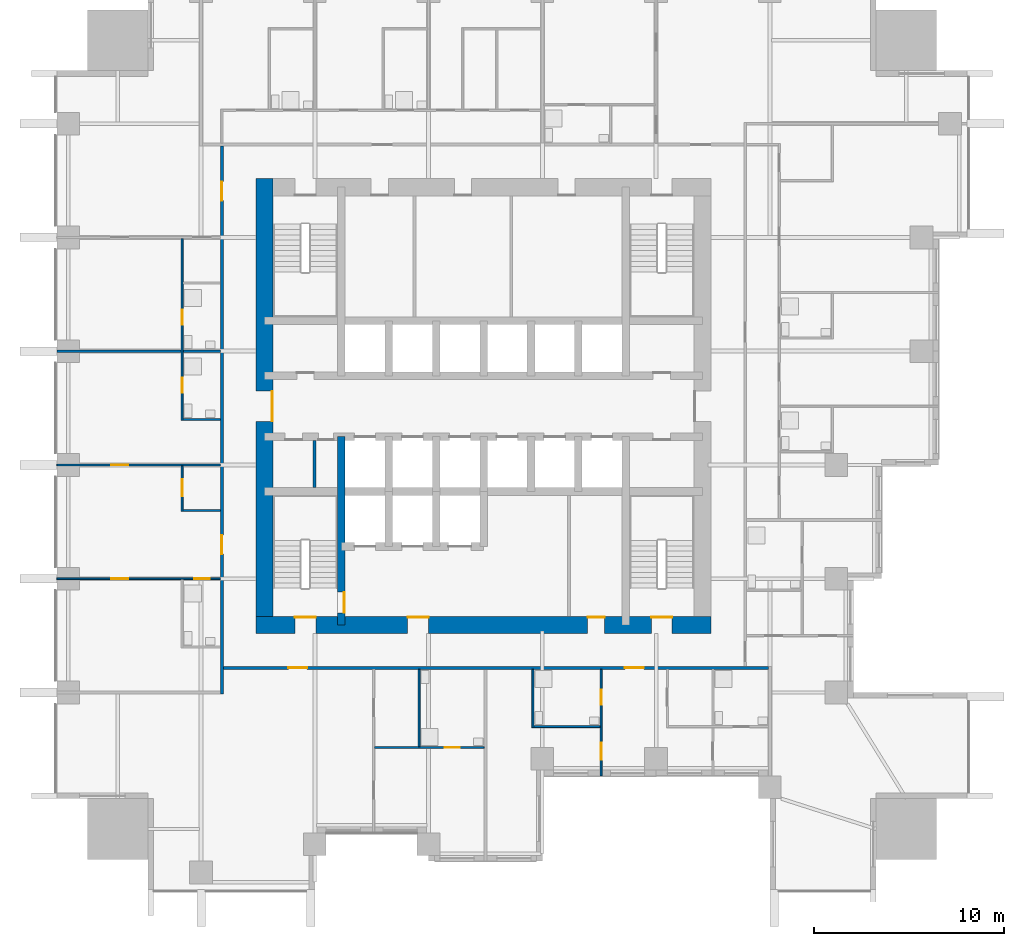
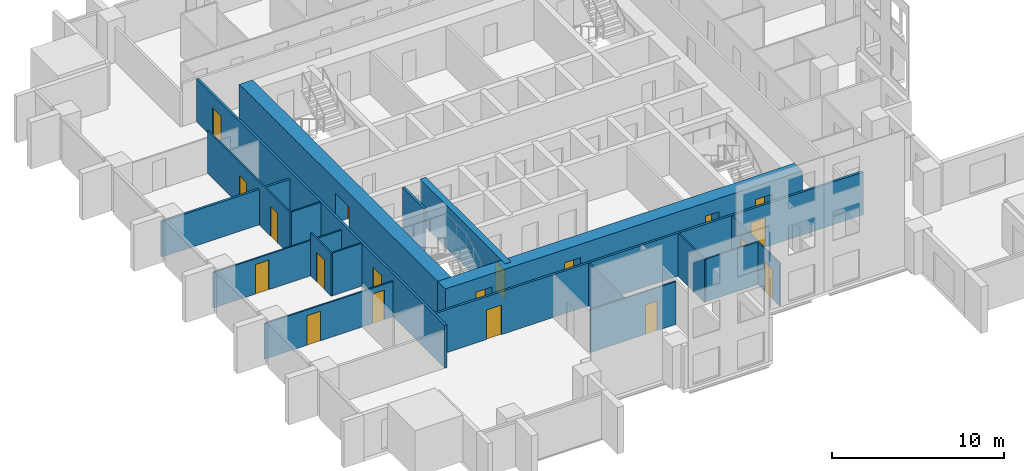
# One storey, part 4 of 11: 19 doors, 18 walls, 19 openings.
"""IFC4 building model written with IfcOpenShell, lengths in metres."""

from ifc_helpers import new_model, si_unit, direction, frame, frame_2d, origin, place, context, subcontext, project, spatial, rectangle, extrude, material, layer, layer_set, type_object, element, fill, save


model = new_model("IFC4")

# Units and contexts
model_context = context("Model", 3, precision=1e-05, world=origin(), true_north=direction((0.0, 1.0)))
body_context = subcontext(model_context, "Body", "Model", "MODEL_VIEW")
ifc_project = project(units=[si_unit("LENGTHUNIT", "METRE"), si_unit("AREAUNIT", "SQUARE_METRE"), si_unit("VOLUMEUNIT", "CUBIC_METRE"), si_unit("PLANEANGLEUNIT", "RADIAN"), si_unit("MASSUNIT", "GRAM", prefix="KILO")], contexts=[model_context])

# Site, building, storey
site_placement = place(None, origin())
site = spatial("IfcSite", under=ifc_project, at=site_placement, CompositionType="ELEMENT")
building_placement = place(site_placement, origin())
building = spatial("IfcBuilding", under=site, at=building_placement, Name="Amberfall Residences", CompositionType="ELEMENT")
storey_placement = place(building_placement, frame((0.0, 0.0, 43.300048828125)))
storey = spatial("IfcBuildingStorey", under=building, at=storey_placement, Name="L11", CompositionType="ELEMENT", Elevation=43.300048828125)

# Wall, opening, door
ifc_material_1 = material(Name="Concrete C80", Category="concrete")
ifc_layer_1 = layer(ifc_material_1, 0.39990234375)
ifc_layer_set_1 = layer_set([ifc_layer_1], Name="Core wall 400 C80")
wall_type_1 = type_object("IfcWallType", Name="Core wall 400 C80", PredefinedType="SHEAR", material=ifc_layer_set_1)
wall_1_placement = place(storey_placement, frame((67.0, 33.949951171875, 0.0), z_axis=(0.0, 0.0, 1.0), x_axis=(0.0, 1.0, 0.0)))
wall_1 = element("IfcWall", 1, at=wall_1_placement, inside=storey, type_object=wall_type_1, Name="Core wall RW2 L11 V45S", PredefinedType="SHEAR", context=body_context, shape_type="SweptSolid", body=[
    extrude(rectangle(XDim=9.949951171875, YDim=0.39990234375, at=frame_2d((4.97509765625, 0.0))), origin(), (0.0, 0.0, 1.0), 3.050048828125),
])
opening_1_placement = place(wall_1_placement, frame((0.64990234375, 0.0, 0.0)))
opening_1 = element("IfcOpeningElement", 2, at=opening_1_placement, cuts=wall_1, Name="Opening FL1", PredefinedType="OPENING", context=body_context, shape_type="SweptSolid", body=[
    extrude(rectangle(XDim=1.10009765625, YDim=2.10009765625, at=frame_2d((0.550048828125, 1.050048828125))), frame((0.0, 0.2099609375, 0.0), z_axis=(0.0, -1.0, 0.0), x_axis=(1.0, 0.0, 0.0)), (0.0, 0.0, 1.0), 0.419921875),
])
ifc_material_2 = material(Name="Steel fire door set", Category="steel")
door_type_1 = type_object("IfcDoorType", Name="Firefighting lobby door 1100 x 2100", OperationType="SINGLE_SWING_LEFT", PredefinedType="DOOR", material=ifc_material_2)
door_1_placement = place(opening_1_placement, origin())
door_1 = element("IfcDoor", 3, at=door_1_placement, inside=storey, type_object=door_type_1, Name="FL1 L11", OperationType="SINGLE_SWING_RIGHT", OverallHeight=2.10009765625, OverallWidth=1.10009765625, PredefinedType="DOOR", context=body_context, shape_type="SweptSolid", body=[
    extrude(rectangle(XDim=1.10009765625, YDim=2.10009765625, at=frame_2d((0.550048828125, 1.050048828125))), frame((0.0, -0.1376953125, 0.0), z_axis=(0.0, -1.0, 0.0), x_axis=(1.0, 0.0, 0.0)), (0.0, 0.0, 1.0), 0.050048828125),
])
fill(opening_1, door_1)

# Wall, openings, doors
ifc_layer_2 = layer(ifc_material_1, 0.89990234375)
ifc_layer_set_2 = layer_set([ifc_layer_2], Name="Core wall 900 C80")
wall_type_2 = type_object("IfcWallType", Name="Core wall 900 C80", PredefinedType="SHEAR", material=ifc_layer_set_2)
wall_2_placement = place(storey_placement, frame((62.5, 33.949951171875, 0.0), z_axis=(0.0, 0.0, 1.0), x_axis=(1.0, 0.0, 0.0)))
wall_2 = element("IfcWall", 4, at=wall_2_placement, inside=storey, type_object=wall_type_2, Name="Core wall RW1 L11 OS", PredefinedType="SHEAR", context=body_context, shape_type="SweptSolid", body=[
    extrude(rectangle(XDim=24.0, YDim=0.89990234375, at=frame_2d((12.0, 0.0))), origin(), (0.0, 0.0, 1.0), 3.050048828125),
])
opening_2_placement = place(wall_2_placement, frame((2.050048828125, 0.0, 0.0)))
opening_2 = element("IfcOpeningElement", 5, at=opening_2_placement, cuts=wall_2, Name="Opening SD1", PredefinedType="OPENING", context=body_context, shape_type="SweptSolid", body=[
    extrude(rectangle(XDim=1.10009765625, YDim=2.10009765625, at=frame_2d((0.550048828125, 1.050048828125))), frame((0.0, 0.4599609375, 0.0), z_axis=(0.0, -1.0, 0.0), x_axis=(1.0, 0.0, 0.0)), (0.0, 0.0, 1.0), 0.919921875),
])
opening_3_placement = place(wall_2_placement, frame((20.85009765625, 0.0, 0.0)))
opening_3 = element("IfcOpeningElement", 6, at=opening_3_placement, cuts=wall_2, Name="Opening SD1", PredefinedType="OPENING", context=body_context, shape_type="SweptSolid", body=[
    extrude(rectangle(XDim=1.10009765625, YDim=2.10009765625, at=frame_2d((0.550048828125, 1.050048828125))), frame((0.0, 0.4599609375, 0.0), z_axis=(0.0, -1.0, 0.0), x_axis=(1.0, 0.0, 0.0)), (0.0, 0.0, 1.0), 0.919921875),
])
opening_4_placement = place(wall_2_placement, frame((8.0, 0.0, 0.0)))
opening_4 = element("IfcOpeningElement", 7, at=opening_4_placement, cuts=wall_2, Name="Opening FL1", PredefinedType="OPENING", context=body_context, shape_type="SweptSolid", body=[
    extrude(rectangle(XDim=1.10009765625, YDim=2.10009765625, at=frame_2d((0.550048828125, 1.050048828125))), frame((0.0, 0.4599609375, 0.0), z_axis=(0.0, -1.0, 0.0), x_axis=(1.0, 0.0, 0.0)), (0.0, 0.0, 1.0), 0.919921875),
])
opening_5_placement = place(wall_2_placement, frame((17.487548828125, 0.0, 0.0)))
opening_5 = element("IfcOpeningElement", 8, at=opening_5_placement, cuts=wall_2, Name="Opening RD1", PredefinedType="OPENING", context=body_context, shape_type="SweptSolid", body=[
    extrude(rectangle(XDim=0.89990234375, YDim=2.10009765625, at=frame_2d((0.449951171875, 1.050048828125))), frame((0.0, 0.4599609375, 0.0), z_axis=(0.0, -1.0, 0.0), x_axis=(1.0, 0.0, 0.0)), (0.0, 0.0, 1.0), 0.919921875),
])
door_2_placement = place(opening_4_placement, origin())
door_2 = element("IfcDoor", 9, at=door_2_placement, inside=storey, type_object=door_type_1, Name="FL1 L11", OperationType="SINGLE_SWING_LEFT", OverallHeight=2.10009765625, OverallWidth=1.10009765625, PredefinedType="DOOR", context=body_context, shape_type="SweptSolid", body=[
    extrude(rectangle(XDim=1.10009765625, YDim=2.10009765625, at=frame_2d((0.550048828125, 1.050048828125))), frame((0.0, 0.4375, 0.0), z_axis=(0.0, -1.0, 0.0), x_axis=(1.0, 0.0, 0.0)), (0.0, 0.0, 1.0), 0.050048828125),
])
fill(opening_4, door_2)
door_type_2 = type_object("IfcDoorType", Name="Service room door 900 x 2100", OperationType="SINGLE_SWING_LEFT", PredefinedType="DOOR", material=ifc_material_2)
door_3_placement = place(opening_5_placement, origin())
door_3 = element("IfcDoor", 10, at=door_3_placement, inside=storey, type_object=door_type_2, Name="RD1 L11", OperationType="SINGLE_SWING_LEFT", OverallHeight=2.10009765625, OverallWidth=0.89990234375, PredefinedType="DOOR", context=body_context, shape_type="SweptSolid", body=[
    extrude(rectangle(XDim=0.89990234375, YDim=2.10009765625, at=frame_2d((0.449951171875, 1.050048828125))), frame((0.0, 0.4375, 0.0), z_axis=(0.0, -1.0, 0.0), x_axis=(1.0, 0.0, 0.0)), (0.0, 0.0, 1.0), 0.050048828125),
])
fill(opening_5, door_3)
door_type_3 = type_object("IfcDoorType", Name="Stair door 1100 x 2100", OperationType="SINGLE_SWING_LEFT", PredefinedType="DOOR", material=ifc_material_2)
door_4_placement = place(opening_2_placement, origin())
door_4 = element("IfcDoor", 11, at=door_4_placement, inside=storey, type_object=door_type_3, Name="SD1 L11", OperationType="SINGLE_SWING_LEFT", OverallHeight=2.10009765625, OverallWidth=1.10009765625, PredefinedType="DOOR", context=body_context, shape_type="SweptSolid", body=[
    extrude(rectangle(XDim=1.10009765625, YDim=2.10009765625, at=frame_2d((0.550048828125, 1.050048828125))), frame((0.0, 0.4375, 0.0), z_axis=(0.0, -1.0, 0.0), x_axis=(1.0, 0.0, 0.0)), (0.0, 0.0, 1.0), 0.050048828125),
])
fill(opening_2, door_4)
door_5_placement = place(opening_3_placement, origin())
door_5 = element("IfcDoor", 12, at=door_5_placement, inside=storey, type_object=door_type_3, Name="SD1 L11", OperationType="SINGLE_SWING_RIGHT", OverallHeight=2.10009765625, OverallWidth=1.10009765625, PredefinedType="DOOR", context=body_context, shape_type="SweptSolid", body=[
    extrude(rectangle(XDim=1.10009765625, YDim=2.10009765625, at=frame_2d((0.550048828125, 1.050048828125))), frame((0.0, 0.4375, 0.0), z_axis=(0.0, -1.0, 0.0), x_axis=(1.0, 0.0, 0.0)), (0.0, 0.0, 1.0), 0.050048828125),
])
fill(opening_3, door_5)

# Wall, opening, door
wall_3_placement = place(storey_placement, frame((62.949951171875, 33.5, 0.0), z_axis=(0.0, 0.0, 1.0), x_axis=(0.0, 1.0, 0.0)))
wall_3 = element("IfcWall", 13, at=wall_3_placement, inside=storey, type_object=wall_type_2, Name="Core wall RW1 L11 OW", PredefinedType="SHEAR", context=body_context, shape_type="SweptSolid", body=[
    extrude(rectangle(XDim=24.0, YDim=0.89990234375, at=frame_2d((12.0, 0.0))), origin(), (0.0, 0.0, 1.0), 3.050048828125),
])
opening_6_placement = place(wall_3_placement, frame((11.199951171875, 0.0, 0.0)))
opening_6 = element("IfcOpeningElement", 14, at=opening_6_placement, cuts=wall_3, Name="Opening LB1", PredefinedType="OPENING", context=body_context, shape_type="SweptSolid", body=[
    extrude(rectangle(XDim=1.60009765625, YDim=2.10009765625, at=frame_2d((0.800048828125, 1.050048828125))), frame((0.0, 0.4599609375, 0.0), z_axis=(0.0, -1.0, 0.0), x_axis=(1.0, 0.0, 0.0)), (0.0, 0.0, 1.0), 0.919921875),
])
door_type_4 = type_object("IfcDoorType", Name="Lift lobby double door 1600 x 2100", OperationType="DOUBLE_DOOR_SINGLE_SWING", PredefinedType="DOOR", material=ifc_material_2)
door_6_placement = place(opening_6_placement, origin())
door_6 = element("IfcDoor", 15, at=door_6_placement, inside=storey, type_object=door_type_4, Name="LB1 L11", OperationType="DOUBLE_DOOR_SINGLE_SWING", OverallHeight=2.10009765625, OverallWidth=1.60009765625, PredefinedType="DOOR", context=body_context, shape_type="SweptSolid", body=[
    extrude(rectangle(XDim=1.60009765625, YDim=2.10009765625, at=frame_2d((0.800048828125, 1.050048828125))), frame((0.0, -0.3876953125, 0.0), z_axis=(0.0, -1.0, 0.0), x_axis=(1.0, 0.0, 0.0)), (0.0, 0.0, 1.0), 0.050048828125),
])
fill(opening_6, door_6)

ifc_material_3 = material(Name="Gypsum board on metal stud")
ifc_layer_3 = layer(ifc_material_3, 0.10009765625)
ifc_layer_set_3 = layer_set([ifc_layer_3], Name="Flat partition 100")
wall_type_3 = type_object("IfcWallType", Name="Flat partition 100", PredefinedType="PARTITIONING", material=ifc_layer_set_3)
wall_4_placement = place(storey_placement, frame((58.60009765625, 42.35009765625, 0.0), z_axis=(0.0, 0.0, 1.0), x_axis=(0.0, -1.0, 0.0)))
wall_4 = element("IfcWall", 16, at=wall_4_placement, inside=storey, type_object=wall_type_3, Name="Partition 002", PredefinedType="PARTITIONING", context=body_context, shape_type="SweptSolid", body=[
    extrude(rectangle(XDim=2.400146484375, YDim=0.10009765625, at=frame_2d((1.2001953125, 0.0))), origin(), (0.0, 0.0, 1.0), 3.050048828125),
])
opening_7_placement = place(wall_4_placement, frame((0.699951171875, 0.0, 0.0)))
opening_7 = element("IfcOpeningElement", 17, at=opening_7_placement, cuts=wall_4, Name="Opening D41", PredefinedType="OPENING", context=body_context, shape_type="SweptSolid", body=[
    extrude(rectangle(XDim=0.89990234375, YDim=2.10009765625, at=frame_2d((0.449951171875, 1.050048828125))), frame((0.0, 0.06005859375, 0.0), z_axis=(0.0, -1.0, 0.0), x_axis=(1.0, 0.0, 0.0)), (0.0, 0.0, 1.0), 0.1201171875),
])
ifc_material_4 = material(Name="Timber", Category="wood")
door_type_5 = type_object("IfcDoorType", Name="Internal door 900 x 2100", OperationType="SINGLE_SWING_LEFT", PredefinedType="DOOR", material=ifc_material_4)
door_7_placement = place(opening_7_placement, origin())
door_7 = element("IfcDoor", 18, at=door_7_placement, inside=storey, type_object=door_type_5, Name="Door 1107 kitchen", OperationType="SINGLE_SWING_LEFT", OverallHeight=2.10009765625, OverallWidth=0.89990234375, PredefinedType="DOOR", context=body_context, shape_type="SweptSolid", body=[
    extrude(rectangle(XDim=0.89990234375, YDim=2.10009765625, at=frame_2d((0.449951171875, 1.050048828125))), frame((0.0, 0.02490234375, 0.0), z_axis=(0.0, -1.0, 0.0), x_axis=(1.0, 0.0, 0.0)), (0.0, 0.0, 1.0), 0.050048828125),
])
fill(opening_7, door_7)

# Wall, openings, doors
wall_5_placement = place(storey_placement, frame((58.60009765625, 54.35009765625, 0.0), z_axis=(0.0, 0.0, 1.0), x_axis=(0.0, -1.0, 0.0)))
wall_5 = element("IfcWall", 19, at=wall_5_placement, inside=storey, type_object=wall_type_3, Name="Partition 003", PredefinedType="PARTITIONING", context=body_context, shape_type="SweptSolid", body=[
    extrude(rectangle(XDim=9.60009765625, YDim=0.10009765625, at=frame_2d((4.800048828125, 0.0))), origin(), (0.0, 0.0, 1.0), 3.050048828125),
])
opening_8_placement = place(wall_5_placement, frame((7.35009765625, 0.0, 0.0)))
opening_8 = element("IfcOpeningElement", 20, at=opening_8_placement, cuts=wall_5, Name="Opening D42", PredefinedType="OPENING", context=body_context, shape_type="SweptSolid", body=[
    extrude(rectangle(XDim=0.800048828125, YDim=2.10009765625, at=frame_2d((0.39990234375, 1.050048828125))), frame((0.0, 0.06005859375, 0.0), z_axis=(0.0, -1.0, 0.0), x_axis=(1.0, 0.0, 0.0)), (0.0, 0.0, 1.0), 0.1201171875),
])
opening_9_placement = place(wall_5_placement, frame((3.75, 0.0, 0.0)))
opening_9 = element("IfcOpeningElement", 21, at=opening_9_placement, cuts=wall_5, Name="Opening D42", PredefinedType="OPENING", context=body_context, shape_type="SweptSolid", body=[
    extrude(rectangle(XDim=0.800048828125, YDim=2.10009765625, at=frame_2d((0.39990234375, 1.050048828125))), frame((0.0, 0.06005859375, 0.0), z_axis=(0.0, -1.0, 0.0), x_axis=(1.0, 0.0, 0.0)), (0.0, 0.0, 1.0), 0.1201171875),
])
door_type_6 = type_object("IfcDoorType", Name="Bathroom door 800 x 2100", OperationType="SINGLE_SWING_LEFT", PredefinedType="DOOR", material=ifc_material_4)
door_8_placement = place(opening_8_placement, origin())
door_8 = element("IfcDoor", 22, at=door_8_placement, inside=storey, type_object=door_type_6, Name="Door 1107 bath2", OperationType="SINGLE_SWING_LEFT", OverallHeight=2.10009765625, OverallWidth=0.800048828125, PredefinedType="DOOR", context=body_context, shape_type="SweptSolid", body=[
    extrude(rectangle(XDim=0.800048828125, YDim=2.10009765625, at=frame_2d((0.39990234375, 1.050048828125))), frame((0.0, 0.02490234375, 0.0), z_axis=(0.0, -1.0, 0.0), x_axis=(1.0, 0.0, 0.0)), (0.0, 0.0, 1.0), 0.050048828125),
])
fill(opening_8, door_8)
door_9_placement = place(opening_9_placement, origin())
door_9 = element("IfcDoor", 23, at=door_9_placement, inside=storey, type_object=door_type_6, Name="Door 1108 bath1", OperationType="SINGLE_SWING_LEFT", OverallHeight=2.10009765625, OverallWidth=0.800048828125, PredefinedType="DOOR", context=body_context, shape_type="SweptSolid", body=[
    extrude(rectangle(XDim=0.800048828125, YDim=2.10009765625, at=frame_2d((0.39990234375, 1.050048828125))), frame((0.0, 0.02490234375, 0.0), z_axis=(0.0, -1.0, 0.0), x_axis=(1.0, 0.0, 0.0)), (0.0, 0.0, 1.0), 0.050048828125),
])
fill(opening_9, door_9)

# Walls
wall_6_placement = place(storey_placement, frame((71.10009765625, 27.550048828125, 0.0), z_axis=(0.0, 0.0, 1.0), x_axis=(0.0, 1.0, 0.0)))
element("IfcWall", 24, at=wall_6_placement, inside=storey, type_object=wall_type_3, Name="Partition 009", PredefinedType="PARTITIONING", context=body_context, shape_type="SweptSolid", body=[
    extrude(rectangle(XDim=4.074951171875, YDim=0.10009765625, at=frame_2d((2.03759765625, 0.0))), origin(), (0.0, 0.0, 1.0), 3.050048828125),
])
wall_7_placement = place(storey_placement, frame((77.10009765625, 28.550048828125, 0.0), z_axis=(0.0, 0.0, 1.0), x_axis=(0.0, 1.0, 0.0)))
element("IfcWall", 25, at=wall_7_placement, inside=storey, type_object=wall_type_3, Name="Partition 013", PredefinedType="PARTITIONING", context=body_context, shape_type="SweptSolid", body=[
    extrude(rectangle(XDim=3.074951171875, YDim=0.10009765625, at=frame_2d((1.53759765625, 0.0))), origin(), (0.0, 0.0, 1.0), 3.050048828125),
])

# Wall, openings, doors
wall_8_placement = place(storey_placement, frame((80.699951171875, 26.0, 0.0), z_axis=(0.0, 0.0, 1.0), x_axis=(0.0, 1.0, 0.0)))
wall_8 = element("IfcWall", 26, at=wall_8_placement, inside=storey, type_object=wall_type_3, Name="Partition 014", PredefinedType="PARTITIONING", context=body_context, shape_type="SweptSolid", body=[
    extrude(rectangle(XDim=5.625, YDim=0.10009765625, at=frame_2d((2.8125, 0.0))), origin(), (0.0, 0.0, 1.0), 3.050048828125),
])
opening_10_placement = place(wall_8_placement, frame((0.85009765625, 0.0, 0.0)))
opening_10 = element("IfcOpeningElement", 27, at=opening_10_placement, cuts=wall_8, Name="Opening D41", PredefinedType="OPENING", context=body_context, shape_type="SweptSolid", body=[
    extrude(rectangle(XDim=0.89990234375, YDim=2.10009765625, at=frame_2d((0.449951171875, 1.050048828125))), frame((0.0, 0.06005859375, 0.0), z_axis=(0.0, -1.0, 0.0), x_axis=(1.0, 0.0, 0.0)), (0.0, 0.0, 1.0), 0.1201171875),
])
opening_11_placement = place(wall_8_placement, frame((3.75, 0.0, 0.0)))
opening_11 = element("IfcOpeningElement", 28, at=opening_11_placement, cuts=wall_8, Name="Opening D42", PredefinedType="OPENING", context=body_context, shape_type="SweptSolid", body=[
    extrude(rectangle(XDim=0.800048828125, YDim=2.10009765625, at=frame_2d((0.39990234375, 1.050048828125))), frame((0.0, 0.06005859375, 0.0), z_axis=(0.0, -1.0, 0.0), x_axis=(1.0, 0.0, 0.0)), (0.0, 0.0, 1.0), 0.1201171875),
])
door_10_placement = place(opening_11_placement, origin())
door_10 = element("IfcDoor", 29, at=door_10_placement, inside=storey, type_object=door_type_6, Name="Door 1102 bath1", OperationType="SINGLE_SWING_LEFT", OverallHeight=2.10009765625, OverallWidth=0.800048828125, PredefinedType="DOOR", context=body_context, shape_type="SweptSolid", body=[
    extrude(rectangle(XDim=0.800048828125, YDim=2.10009765625, at=frame_2d((0.39990234375, 1.050048828125))), frame((0.0, 0.02490234375, 0.0), z_axis=(0.0, -1.0, 0.0), x_axis=(1.0, 0.0, 0.0)), (0.0, 0.0, 1.0), 0.050048828125),
])
fill(opening_11, door_10)
door_11_placement = place(opening_10_placement, origin())
door_11 = element("IfcDoor", 30, at=door_11_placement, inside=storey, type_object=door_type_5, Name="Door 1102 bedroom1", OperationType="SINGLE_SWING_LEFT", OverallHeight=2.10009765625, OverallWidth=0.89990234375, PredefinedType="DOOR", context=body_context, shape_type="SweptSolid", body=[
    extrude(rectangle(XDim=0.89990234375, YDim=2.10009765625, at=frame_2d((0.449951171875, 1.050048828125))), frame((0.0, 0.02490234375, 0.0), z_axis=(0.0, -1.0, 0.0), x_axis=(1.0, 0.0, 0.0)), (0.0, 0.0, 1.0), 0.050048828125),
])
fill(opening_10, door_11)

# Wall
wall_9_placement = place(storey_placement, frame((58.64990234375, 44.800048828125, 0.0), z_axis=(0.0, 0.0, 1.0), x_axis=(1.0, 0.0, 0.0)))
element("IfcWall", 31, at=wall_9_placement, inside=storey, type_object=wall_type_3, Name="Partition 036", PredefinedType="PARTITIONING", context=body_context, shape_type="SweptSolid", body=[
    extrude(rectangle(XDim=1.97509765625, YDim=0.10009765625, at=frame_2d((0.987548828125, 0.0))), origin(), (0.0, 0.0, 1.0), 3.050048828125),
])

# Wall, opening, door
wall_10_placement = place(storey_placement, frame((52.0, 42.39990234375, 0.0), z_axis=(0.0, 0.0, 1.0), x_axis=(1.0, 0.0, 0.0)))
wall_10 = element("IfcWall", 32, at=wall_10_placement, inside=storey, type_object=wall_type_3, Name="Partition 038", PredefinedType="PARTITIONING", context=body_context, shape_type="SweptSolid", body=[
    extrude(rectangle(XDim=8.625, YDim=0.10009765625, at=frame_2d((4.3125, 0.0))), origin(), (0.0, 0.0, 1.0), 2.515869140625),
])
opening_12_placement = place(wall_10_placement, frame((2.85009765625, 0.0, 0.0)))
opening_12 = element("IfcOpeningElement", 33, at=opening_12_placement, cuts=wall_10, Name="Opening D41", PredefinedType="OPENING", context=body_context, shape_type="SweptSolid", body=[
    extrude(rectangle(XDim=0.89990234375, YDim=2.10009765625, at=frame_2d((0.449951171875, 1.050048828125))), frame((0.0, 0.06005859375, 0.0), z_axis=(0.0, -1.0, 0.0), x_axis=(1.0, 0.0, 0.0)), (0.0, 0.0, 1.0), 0.1201171875),
])
door_12_placement = place(opening_12_placement, origin())
door_12 = element("IfcDoor", 34, at=door_12_placement, inside=storey, type_object=door_type_5, Name="Door 1107 bedroom2", OperationType="SINGLE_SWING_LEFT", OverallHeight=2.10009765625, OverallWidth=0.89990234375, PredefinedType="DOOR", context=body_context, shape_type="SweptSolid", body=[
    extrude(rectangle(XDim=0.89990234375, YDim=2.10009765625, at=frame_2d((0.449951171875, 1.050048828125))), frame((0.0, 0.02490234375, 0.0), z_axis=(0.0, -1.0, 0.0), x_axis=(1.0, 0.0, 0.0)), (0.0, 0.0, 1.0), 0.050048828125),
])
fill(opening_12, door_12)

# Wall
wall_11_placement = place(storey_placement, frame((58.64990234375, 40.0, 0.0), z_axis=(0.0, 0.0, 1.0), x_axis=(1.0, 0.0, 0.0)))
element("IfcWall", 35, at=wall_11_placement, inside=storey, type_object=wall_type_3, Name="Partition 039", PredefinedType="PARTITIONING", context=body_context, shape_type="SweptSolid", body=[
    extrude(rectangle(XDim=1.97509765625, YDim=0.10009765625, at=frame_2d((0.987548828125, 0.0))), origin(), (0.0, 0.0, 1.0), 3.050048828125),
])

# Wall, openings, doors
wall_12_placement = place(storey_placement, frame((60.625, 36.39990234375, 0.0), z_axis=(0.0, 0.0, 1.0), x_axis=(-1.0, 0.0, 0.0)))
wall_12 = element("IfcWall", 36, at=wall_12_placement, inside=storey, type_object=wall_type_3, Name="Partition 040", PredefinedType="PARTITIONING", context=body_context, shape_type="SweptSolid", body=[
    extrude(rectangle(XDim=8.625, YDim=0.10009765625, at=frame_2d((4.3125, 0.0))), origin(), (0.0, 0.0, 1.0), 2.515869140625),
])
opening_13_placement = place(wall_12_placement, frame((4.875, 0.0, 0.0)))
opening_13 = element("IfcOpeningElement", 37, at=opening_13_placement, cuts=wall_12, Name="Opening D41", PredefinedType="OPENING", context=body_context, shape_type="SweptSolid", body=[
    extrude(rectangle(XDim=0.89990234375, YDim=2.10009765625, at=frame_2d((0.449951171875, 1.050048828125))), frame((0.0, 0.06005859375, 0.0), z_axis=(0.0, -1.0, 0.0), x_axis=(1.0, 0.0, 0.0)), (0.0, 0.0, 1.0), 0.1201171875),
])
opening_14_placement = place(wall_12_placement, frame((0.574951171875, 0.0, 0.0)))
opening_14 = element("IfcOpeningElement", 38, at=opening_14_placement, cuts=wall_12, Name="Opening D42", PredefinedType="OPENING", context=body_context, shape_type="SweptSolid", body=[
    extrude(rectangle(XDim=0.800048828125, YDim=2.10009765625, at=frame_2d((0.39990234375, 1.050048828125))), frame((0.0, 0.06005859375, 0.0), z_axis=(0.0, -1.0, 0.0), x_axis=(1.0, 0.0, 0.0)), (0.0, 0.0, 1.0), 0.1201171875),
])
door_13_placement = place(opening_14_placement, origin())
door_13 = element("IfcDoor", 39, at=door_13_placement, inside=storey, type_object=door_type_6, Name="Door 1107 bath1", OperationType="SINGLE_SWING_LEFT", OverallHeight=2.10009765625, OverallWidth=0.800048828125, PredefinedType="DOOR", context=body_context, shape_type="SweptSolid", body=[
    extrude(rectangle(XDim=0.800048828125, YDim=2.10009765625, at=frame_2d((0.39990234375, 1.050048828125))), frame((0.0, 0.02490234375, 0.0), z_axis=(0.0, -1.0, 0.0), x_axis=(1.0, 0.0, 0.0)), (0.0, 0.0, 1.0), 0.050048828125),
])
fill(opening_14, door_13)
door_14_placement = place(opening_13_placement, origin())
door_14 = element("IfcDoor", 40, at=door_14_placement, inside=storey, type_object=door_type_5, Name="Door 1107 bedroom1", OperationType="SINGLE_SWING_LEFT", OverallHeight=2.10009765625, OverallWidth=0.89990234375, PredefinedType="DOOR", context=body_context, shape_type="SweptSolid", body=[
    extrude(rectangle(XDim=0.89990234375, YDim=2.10009765625, at=frame_2d((0.449951171875, 1.050048828125))), frame((0.0, 0.02490234375, 0.0), z_axis=(0.0, -1.0, 0.0), x_axis=(1.0, 0.0, 0.0)), (0.0, 0.0, 1.0), 0.050048828125),
])
fill(opening_13, door_14)

# Wall
wall_13_placement = place(storey_placement, frame((77.14990234375, 28.60009765625, 0.0), z_axis=(0.0, 0.0, 1.0), x_axis=(1.0, 0.0, 0.0)))
element("IfcWall", 41, at=wall_13_placement, inside=storey, type_object=wall_type_3, Name="Partition 044", PredefinedType="PARTITIONING", context=body_context, shape_type="SweptSolid", body=[
    extrude(rectangle(XDim=3.5, YDim=0.10009765625, at=frame_2d((1.75, 0.0))), origin(), (0.0, 0.0, 1.0), 3.050048828125),
])

# Wall, opening, door
wall_14_placement = place(storey_placement, frame((68.75, 27.5, 0.0), z_axis=(0.0, 0.0, 1.0), x_axis=(1.0, 0.0, 0.0)))
wall_14 = element("IfcWall", 42, at=wall_14_placement, inside=storey, type_object=wall_type_3, Name="Partition 046", PredefinedType="PARTITIONING", context=body_context, shape_type="SweptSolid", body=[
    extrude(rectangle(XDim=5.77490234375, YDim=0.10009765625, at=frame_2d((2.887451171875, 0.0))), origin(), (0.0, 0.0, 1.0), 3.050048828125),
])
opening_15_placement = place(wall_14_placement, frame((3.699951171875, 0.0, 0.0)))
opening_15 = element("IfcOpeningElement", 43, at=opening_15_placement, cuts=wall_14, Name="Opening D42", PredefinedType="OPENING", context=body_context, shape_type="SweptSolid", body=[
    extrude(rectangle(XDim=0.800048828125, YDim=2.10009765625, at=frame_2d((0.39990234375, 1.050048828125))), frame((0.0, 0.06005859375, 0.0), z_axis=(0.0, -1.0, 0.0), x_axis=(1.0, 0.0, 0.0)), (0.0, 0.0, 1.0), 0.1201171875),
])
door_15_placement = place(opening_15_placement, origin())
door_15 = element("IfcDoor", 44, at=door_15_placement, inside=storey, type_object=door_type_6, Name="Door 1101 bath1", OperationType="SINGLE_SWING_LEFT", OverallHeight=2.10009765625, OverallWidth=0.800048828125, PredefinedType="DOOR", context=body_context, shape_type="SweptSolid", body=[
    extrude(rectangle(XDim=0.800048828125, YDim=2.10009765625, at=frame_2d((0.39990234375, 1.050048828125))), frame((0.0, 0.02490234375, 0.0), z_axis=(0.0, -1.0, 0.0), x_axis=(1.0, 0.0, 0.0)), (0.0, 0.0, 1.0), 0.050048828125),
])
fill(opening_15, door_15)

# Wall, openings, doors
ifc_material_5 = material(Name="Blockwork, plastered", Category="masonry")
ifc_layer_4 = layer(ifc_material_5, 0.14990234375)
ifc_layer_set_4 = layer_set([ifc_layer_4], Name="Flat separating wall 150")
wall_type_4 = type_object("IfcWallType", Name="Flat separating wall 150", PredefinedType="PARTITIONING", material=ifc_layer_set_4)
wall_15_placement = place(storey_placement, frame((60.699951171875, 30.324951171875, 0.0), z_axis=(0.0, 0.0, 1.0), x_axis=(0.0, 1.0, 0.0)))
wall_15 = element("IfcWall", 45, at=wall_15_placement, inside=storey, type_object=wall_type_4, Name="Separating wall 048", PredefinedType="PARTITIONING", context=body_context, shape_type="SweptSolid", body=[
    extrude(rectangle(XDim=28.900146484375, YDim=0.14990234375, at=frame_2d((14.4501953125, 0.0))), origin(), (0.0, 0.0, 1.0), 3.050048828125),
])
opening_16_placement = place(wall_15_placement, frame((7.375, 0.0, 0.0)))
opening_16 = element("IfcOpeningElement", 46, at=opening_16_placement, cuts=wall_15, Name="Opening D40", PredefinedType="OPENING", context=body_context, shape_type="SweptSolid", body=[
    extrude(rectangle(XDim=1.0, YDim=2.10009765625, at=frame_2d((0.5, 1.050048828125))), frame((0.0, 0.0849609375, 0.0), z_axis=(0.0, -1.0, 0.0), x_axis=(1.0, 0.0, 0.0)), (0.0, 0.0, 1.0), 0.169921875),
])
opening_17_placement = place(wall_15_placement, frame((26.02490234375, 0.0, 0.0)))
opening_17 = element("IfcOpeningElement", 47, at=opening_17_placement, cuts=wall_15, Name="Opening D40", PredefinedType="OPENING", context=body_context, shape_type="SweptSolid", body=[
    extrude(rectangle(XDim=1.0, YDim=2.10009765625, at=frame_2d((0.5, 1.050048828125))), frame((0.0, 0.0849609375, 0.0), z_axis=(0.0, -1.0, 0.0), x_axis=(1.0, 0.0, 0.0)), (0.0, 0.0, 1.0), 0.169921875),
])
ifc_material_6 = material(Name="Timber, fire-rated", Category="wood")
door_type_7 = type_object("IfcDoorType", Name="Flat entrance door FD60 1000 x 2100", OperationType="SINGLE_SWING_LEFT", PredefinedType="DOOR", material=ifc_material_6)
door_16_placement = place(opening_16_placement, origin())
door_16 = element("IfcDoor", 48, at=door_16_placement, inside=storey, type_object=door_type_7, Name="Door 1107 entrance", OperationType="SINGLE_SWING_LEFT", OverallHeight=2.10009765625, OverallWidth=1.0, PredefinedType="DOOR", context=body_context, shape_type="SweptSolid", body=[
    extrude(rectangle(XDim=1.0, YDim=2.10009765625, at=frame_2d((0.5, 1.050048828125))), frame((0.0, 0.02490234375, 0.0), z_axis=(0.0, -1.0, 0.0), x_axis=(1.0, 0.0, 0.0)), (0.0, 0.0, 1.0), 0.050048828125),
])
fill(opening_16, door_16)
door_17_placement = place(opening_17_placement, origin())
door_17 = element("IfcDoor", 49, at=door_17_placement, inside=storey, type_object=door_type_7, Name="Door 1108 entrance", OperationType="SINGLE_SWING_LEFT", OverallHeight=2.10009765625, OverallWidth=1.0, PredefinedType="DOOR", context=body_context, shape_type="SweptSolid", body=[
    extrude(rectangle(XDim=1.0, YDim=2.10009765625, at=frame_2d((0.5, 1.050048828125))), frame((0.0, 0.02490234375, 0.0), z_axis=(0.0, -1.0, 0.0), x_axis=(1.0, 0.0, 0.0)), (0.0, 0.0, 1.0), 0.050048828125),
])
fill(opening_17, door_17)

# Wall
wall_16_placement = place(storey_placement, frame((52.0, 48.39990234375, 0.0), z_axis=(0.0, 0.0, 1.0), x_axis=(1.0, 0.0, 0.0)))
element("IfcWall", 50, at=wall_16_placement, inside=storey, type_object=wall_type_4, Name="Separating wall 055", PredefinedType="PARTITIONING", context=body_context, shape_type="SweptSolid", body=[
    extrude(rectangle(XDim=8.625, YDim=0.14990234375, at=frame_2d((4.3125, 0.0))), origin(), (0.0, 0.0, 1.0), 2.515869140625),
])

# Wall, openings, doors
wall_17_placement = place(storey_placement, frame((89.52490234375, 31.699951171875, 0.0), z_axis=(0.0, 0.0, 1.0), x_axis=(-1.0, 0.0, 0.0)))
wall_17 = element("IfcWall", 51, at=wall_17_placement, inside=storey, type_object=wall_type_4, Name="Separating wall 057", PredefinedType="PARTITIONING", context=body_context, shape_type="SweptSolid", body=[
    extrude(rectangle(XDim=28.75, YDim=0.14990234375, at=frame_2d((14.375, 0.0))), origin(), (0.0, 0.0, 1.0), 3.050048828125),
])
opening_18_placement = place(wall_17_placement, frame((24.324951171875, 0.0, 0.0)))
opening_18 = element("IfcOpeningElement", 52, at=opening_18_placement, cuts=wall_17, Name="Opening D40", PredefinedType="OPENING", context=body_context, shape_type="SweptSolid", body=[
    extrude(rectangle(XDim=1.0, YDim=2.10009765625, at=frame_2d((0.5, 1.050048828125))), frame((0.0, 0.0849609375, 0.0), z_axis=(0.0, -1.0, 0.0), x_axis=(1.0, 0.0, 0.0)), (0.0, 0.0, 1.0), 0.169921875),
])
opening_19_placement = place(wall_17_placement, frame((6.574951171875, 0.0, 0.0)))
opening_19 = element("IfcOpeningElement", 53, at=opening_19_placement, cuts=wall_17, Name="Opening D40", PredefinedType="OPENING", context=body_context, shape_type="SweptSolid", body=[
    extrude(rectangle(XDim=1.0, YDim=2.10009765625, at=frame_2d((0.5, 1.050048828125))), frame((0.0, 0.0849609375, 0.0), z_axis=(0.0, -1.0, 0.0), x_axis=(1.0, 0.0, 0.0)), (0.0, 0.0, 1.0), 0.169921875),
])
door_18_placement = place(opening_18_placement, origin())
door_18 = element("IfcDoor", 54, at=door_18_placement, inside=storey, type_object=door_type_7, Name="Door 1101 entrance", OperationType="SINGLE_SWING_LEFT", OverallHeight=2.10009765625, OverallWidth=1.0, PredefinedType="DOOR", context=body_context, shape_type="SweptSolid", body=[
    extrude(rectangle(XDim=1.0, YDim=2.10009765625, at=frame_2d((0.5, 1.050048828125))), frame((0.0, 0.02490234375, 0.0), z_axis=(0.0, -1.0, 0.0), x_axis=(1.0, 0.0, 0.0)), (0.0, 0.0, 1.0), 0.050048828125),
])
fill(opening_18, door_18)
door_19_placement = place(opening_19_placement, origin())
door_19 = element("IfcDoor", 55, at=door_19_placement, inside=storey, type_object=door_type_7, Name="Door 1102 entrance", OperationType="SINGLE_SWING_LEFT", OverallHeight=2.10009765625, OverallWidth=1.0, PredefinedType="DOOR", context=body_context, shape_type="SweptSolid", body=[
    extrude(rectangle(XDim=1.0, YDim=2.10009765625, at=frame_2d((0.5, 1.050048828125))), frame((0.0, 0.02490234375, 0.0), z_axis=(0.0, -1.0, 0.0), x_axis=(1.0, 0.0, 0.0)), (0.0, 0.0, 1.0), 0.050048828125),
])
fill(opening_19, door_19)

# Wall
ifc_material_7 = material(Name="Concrete blockwork", Category="masonry")
ifc_layer_5 = layer(ifc_material_7, 0.14990234375)
ifc_layer_set_5 = layer_set([ifc_layer_5], Name="Riser wall 150")
wall_type_5 = type_object("IfcWallType", Name="Riser wall 150", PredefinedType="PLUMBINGWALL", material=ifc_layer_set_5)
wall_18_placement = place(storey_placement, frame((65.575927734375, 41.199951171875, 0.0), z_axis=(0.0, 0.0, 1.0), x_axis=(0.0, 1.0, 0.0)))
element("IfcWall", 56, at=wall_18_placement, inside=storey, type_object=wall_type_5, Name="L11 core wall ASW0", PredefinedType="PLUMBINGWALL", context=body_context, shape_type="SweptSolid", body=[
    extrude(rectangle(XDim=2.5, YDim=0.14990234375, at=frame_2d((1.25, 0.0))), origin(), (0.0, 0.0, 1.0), 3.050048828125),
])

save(model, "model.ifc")
